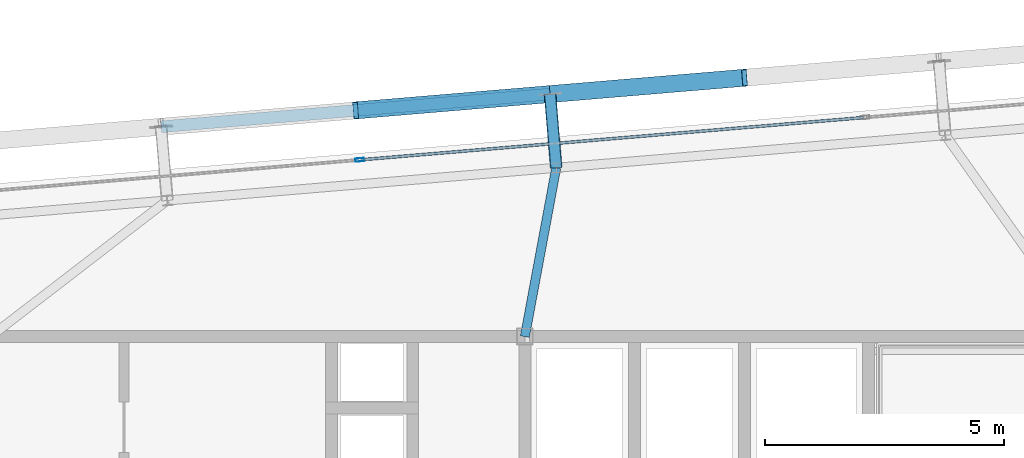
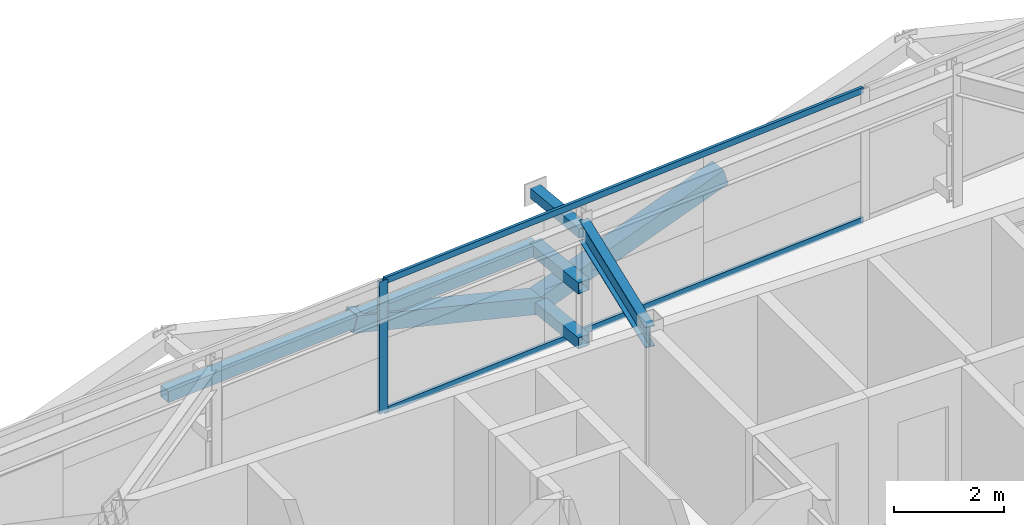
# One storey, part 23 of 37: 9 members, 1 beam, 1 element without a shape of its own.
"""IFC4 building model written with IfcOpenShell, lengths in metres."""

from ifc_helpers import new_model, si_unit, direction, frame, origin, origin_2d, place, context, subcontext, project, spatial, hollow_rectangle, i_section, extrude, source, transform, mapped, material, layer, layer_set, material_profile, profile_set, type_object, element, aggregate, save


model = new_model("IFC4")

# Units and contexts
model_context = context("Model", 3, precision=1e-05, world=origin(), true_north=direction((0.0, 1.0)))
body_context = subcontext(model_context, "Body", "Model", "MODEL_VIEW")
ifc_project = project(units=[si_unit("LENGTHUNIT", "METRE"), si_unit("AREAUNIT", "SQUARE_METRE"), si_unit("VOLUMEUNIT", "CUBIC_METRE"), si_unit("PLANEANGLEUNIT", "RADIAN"), si_unit("MASSUNIT", "GRAM", prefix="KILO")], contexts=[model_context])

# Site, building, storey
site_placement = place(None, origin())
site = spatial("IfcSite", under=ifc_project, at=site_placement, CompositionType="ELEMENT")
building_placement = place(site_placement, origin())
building = spatial("IfcBuilding", under=site, at=building_placement, Name="Taldren Reach Tower", CompositionType="ELEMENT")
storey_placement = place(building_placement, frame((0.0, 0.0, 200.89990234375)))
storey = spatial("IfcBuildingStorey", under=building, at=storey_placement, Name="L61", CompositionType="ELEMENT", Elevation=200.89990234375)

# Members
ifc_material_1 = material(Name="Steel Gr 350 (C350L0)", Category="steel")
ifc_material_profile_1 = material_profile(ifc_material_1, hollow_rectangle(XDim=0.25, YDim=0.25, WallThickness=0.010009765625, at=origin_2d()), Name="250x250x10.0SHS")
ifc_profile_set_1 = profile_set([ifc_material_profile_1], Name="Steel Gr 350 (C350L0)")
member_type_1 = type_object("IfcMemberType", Name="MB-POST250", PredefinedType="POST", material=ifc_profile_set_1)
shared_shape_1 = source(origin(), body_context, "Body", "SweptSolid", [
    extrude(hollow_rectangle(XDim=0.25, YDim=0.25, WallThickness=0.010009765625, at=origin_2d()), origin(), (0.0, 0.0, 1.0), 1.5498046875),
])
for number, where, z_axis, x_axis, name in (
    (1, (39.857666015625, 35.537109375, 0.22021484375), (-0.083645141657, 0.996495604746, 0.0), (-0.996495604746, -0.083645141657, 0.0), "Exoskeleton base diaphragm tie strut B4-N4 L61"),
    (2, (39.857666015625, 35.537109375, 1.43505859375), (-0.083645141657, 0.996495604746, 0.0), (-0.996495604746, -0.083645141657, 0.0), "Exoskeleton mid-tier diaphragm tie B4-N4 L61"),
):
    element("IfcMember", number, at=place(storey_placement, frame(where, z_axis=z_axis, x_axis=x_axis)), inside=storey, type_object=member_type_1, Name=name, PredefinedType="POST", context=body_context, shape_type="MappedRepresentation", body=[
        mapped(shared_shape_1, transform((0.0, 0.0, 0.0), scale=1.0)),
    ])

# Beam
ifc_material_2 = material(Name="Steel Gr 350 (350PLUS)", Category="steel")
ifc_material_profile_2 = material_profile(ifc_material_2, i_section(OverallWidth=0.19091796875, OverallDepth=0.4599609375, WebThickness=0.010009765625, FlangeThickness=0.01611328125, at=origin_2d()), Name="460UB82.1")
ifc_profile_set_2 = profile_set([ifc_material_profile_2], Name="Steel Gr 350 (350PLUS)")
beam_type = type_object("IfcBeamType", Name="BM-UB460A", PredefinedType="BEAM", material=ifc_profile_set_2)
shared_shape_2 = source(origin(), body_context, "Body", "SweptSolid", [
    extrude(i_section(OverallWidth=0.19091796875, OverallDepth=0.4599609375, WebThickness=0.010009765625, FlangeThickness=0.01611328125, at=origin_2d()), origin(), (0.0, 0.0, 1.0), 3.59765625),
])
beam_placement = place(storey_placement, frame((39.199951171875, 32.0, 2.7001953125), z_axis=(0.182813344882, 0.983147639438, 0.0), x_axis=(-0.983147639438, 0.182813344882, 0.0)))
element("IfcBeam", 3, at=beam_placement, inside=storey, type_object=beam_type, Name="Primary floor girder B4-N4 L61", PredefinedType="BEAM", context=body_context, shape_type="MappedRepresentation", body=[
    mapped(shared_shape_2, transform((0.0, 0.0, 0.0), scale=1.0)),
])

# Members
ifc_material_3 = material(Name="Steel Gr 450 (C450L0)", Category="steel")
ifc_material_profile_3 = material_profile(ifc_material_3, hollow_rectangle(XDim=0.219970703125, YDim=0.219970703125, WallThickness=0.00830078125, at=origin_2d()), Name="220x220x8.2SHS")
ifc_profile_set_3 = profile_set([ifc_material_profile_3], Name="Steel Gr 450 (C450L0)")
member_type_2 = type_object("IfcMemberType", Name="MB-TIE219", PredefinedType="STRUT", material=ifc_profile_set_3)
shared_shape_3 = source(origin(), body_context, "Body", "SweptSolid", [
    extrude(hollow_rectangle(XDim=0.219970703125, YDim=0.219970703125, WallThickness=0.00830078125, at=origin_2d()), origin(), (0.0, 0.0, 1.0), 1.5498046875),
])
member_1_placement = place(storey_placement, frame((39.857666015625, 35.537109375, 2.650146484375), z_axis=(-0.083645141657, 0.996495604746, 0.0), x_axis=(-0.996495604746, -0.083645141657, 0.0)))
element("IfcMember", 4, at=member_1_placement, inside=storey, type_object=member_type_2, Name="Exoskeleton diaphragm tie strut B4-N4 L61", PredefinedType="STRUT", context=body_context, shape_type="MappedRepresentation", body=[
    mapped(shared_shape_3, transform((0.0, 0.0, 0.0), scale=1.0)),
])
shared_shape_4 = source(origin(), body_context, "Body", "SweptSolid", [
    extrude(hollow_rectangle(XDim=0.25, YDim=0.25, WallThickness=0.010009765625, at=origin_2d()), origin(), (0.0, 0.0, 1.0), 8.18017578125),
])
member_2_placement = place(storey_placement, frame((31.57666015625, 36.39697265625, 1.43505859375), z_axis=(0.996492034688, 0.083687662192, 0.0), x_axis=(-0.083687662192, 0.996492034688, 0.0)))
element("IfcMember", 5, at=member_2_placement, inside=storey, type_object=member_type_1, Name="Exoskeleton mid-height ring chord B4-N3 L61", PredefinedType="POST", context=body_context, shape_type="MappedRepresentation", body=[
    mapped(shared_shape_4, transform((0.0, 0.0, 0.0), scale=1.0)),
])
ifc_material_profile_4 = material_profile(ifc_material_3, hollow_rectangle(XDim=0.360107421875, YDim=0.360107421875, WallThickness=0.0126953125, at=origin_2d()), Name="360x360x12.7SHS")
ifc_profile_set_4 = profile_set([ifc_material_profile_4], Name="Steel Gr 450 (C450L0)")
member_type_3 = type_object("IfcMemberType", Name="MB-EXO356", PredefinedType="BRACE", material=ifc_profile_set_4)
shared_shape_5 = source(origin(), body_context, "Body", "SweptSolid", [
    extrude(hollow_rectangle(XDim=0.360107421875, YDim=0.360107421875, WallThickness=0.0126953125, at=origin_2d()), origin(), (0.0, 0.0, 1.0), 4.2666015625),
])
for number, where, z_axis, x_axis, name in (
    (6, (39.72802734375, 37.08154296875, 0.22021484375), (-0.955244723646, -0.080223619417, 0.284730906006), (0.083687662192, -0.996492034688, 0.0), "Exoskeleton Diagrid Brace B4-N3 L61"),
    (7, (39.72802734375, 37.08154296875, 0.22021484375), (0.955244723646, 0.080223619417, 0.284730906006), (-0.083687662192, 0.996492034688, 0.0), "Exoskeleton Diagrid Brace B4-N4 L61"),
):
    element("IfcMember", number, at=place(storey_placement, frame(where, z_axis=z_axis, x_axis=x_axis)), inside=storey, type_object=member_type_3, Name=name, PredefinedType="BRACE", context=body_context, shape_type="MappedRepresentation", body=[
        mapped(shared_shape_5, transform((0.0, 0.0, 0.0), scale=1.0)),
    ])

# Curtain wall, members
ifc_material_4 = material(Name="Aluminium and Low-E Glass Unitised System", Category="aluminium")
ifc_layer = layer(ifc_material_4, 0.159912109375)
ifc_layer_set = layer_set([ifc_layer], Name="Aluminium and Low-E Glass Unitised System")
curtain_wall_type = type_object("IfcCurtainWallType", Name="CW-SYS-5", PredefinedType="NOTDEFINED", material=ifc_layer_set)
curtain_wall_placement = place(storey_placement, origin())
curtain_wall = element("IfcCurtainWall", 8, at=curtain_wall_placement, inside=storey, type_object=curtain_wall_type, Name="Unitised curtain wall CW-L61-N", PredefinedType="NOTDEFINED")
ifc_material_5 = material(Name="Anodised Aluminium 6063-T6", Category="aluminium")
ifc_material_profile_5 = material_profile(ifc_material_5, hollow_rectangle(XDim=0.070068359375, YDim=0.179931640625, WallThickness=0.00390625, at=origin_2d()), Name="ALU-180x70x4RHS")
ifc_profile_set_5 = profile_set([ifc_material_profile_5], Name="Anodised Aluminium 6063-T6")
member_type_4 = type_object("IfcMemberType", Name="CW-MUL-180", PredefinedType="MULLION", material=ifc_profile_set_5)
shared_shape_6 = source(origin(), body_context, "Body", "SweptSolid", [
    extrude(hollow_rectangle(XDim=0.070068359375, YDim=0.179931640625, WallThickness=0.00390625, at=origin_2d()), origin(), (0.0, 0.0, 1.0), 2.93017578125),
])
member_3_placement = place(storey_placement, frame((35.739501953125, 35.702880859375, 0.0), z_axis=(0.0, 0.0, 1.0), x_axis=(0.083677875247, -0.99649285657, 0.0)))
member_3 = element("IfcMember", 9, at=member_3_placement, type_object=member_type_4, Name="CW-5 mullion 3", PredefinedType="MULLION", context=body_context, shape_type="MappedRepresentation", body=[
    mapped(shared_shape_6, transform((0.0, 0.0, 0.0), scale=1.0)),
])
ifc_material_profile_6 = material_profile(ifc_material_5, hollow_rectangle(XDim=0.06005859375, YDim=0.135009765625, WallThickness=0.00341796875, at=origin_2d()), Name="ALU-135x60x3.5RHS")
ifc_profile_set_6 = profile_set([ifc_material_profile_6], Name="Anodised Aluminium 6063-T6")
member_type_5 = type_object("IfcMemberType", Name="CW-TRN-150", PredefinedType="USERDEFINED", material=ifc_profile_set_6)
shared_shape_7 = source(origin(), body_context, "Body", "SweptSolid", [
    extrude(hollow_rectangle(XDim=0.06005859375, YDim=0.135009765625, WallThickness=0.00341796875, at=origin_2d()), origin(), (0.0, 0.0, 1.0), 10.55517578125),
])
member_4_placement = place(storey_placement, frame((46.292236328125, 36.589111328125, 0.030029296875), z_axis=(-0.996492274094, -0.083684811468, 0.0), x_axis=(0.083684811468, -0.996492274094, 0.0)))
member_4 = element("IfcMember", 10, at=member_4_placement, type_object=member_type_5, Name="CW-5 transom 2.1", ObjectType="TRANSOM", PredefinedType="USERDEFINED", context=body_context, shape_type="MappedRepresentation", body=[
    mapped(shared_shape_7, transform((0.0, 0.0, 0.0), scale=1.0)),
])
member_5_placement = place(storey_placement, frame((46.292236328125, 36.589111328125, 2.900146484375), z_axis=(-0.996492274094, -0.083684811468, 0.0), x_axis=(0.083684811468, -0.996492274094, 0.0)))
member_5 = element("IfcMember", 11, at=member_5_placement, type_object=member_type_5, Name="CW-5 transom 2.2", ObjectType="TRANSOM", PredefinedType="USERDEFINED", context=body_context, shape_type="MappedRepresentation", body=[
    mapped(shared_shape_7, transform((0.0, 0.0, 0.0), scale=1.0)),
])
aggregate(curtain_wall, [member_3, member_4, member_5])

save(model, "model.ifc")
